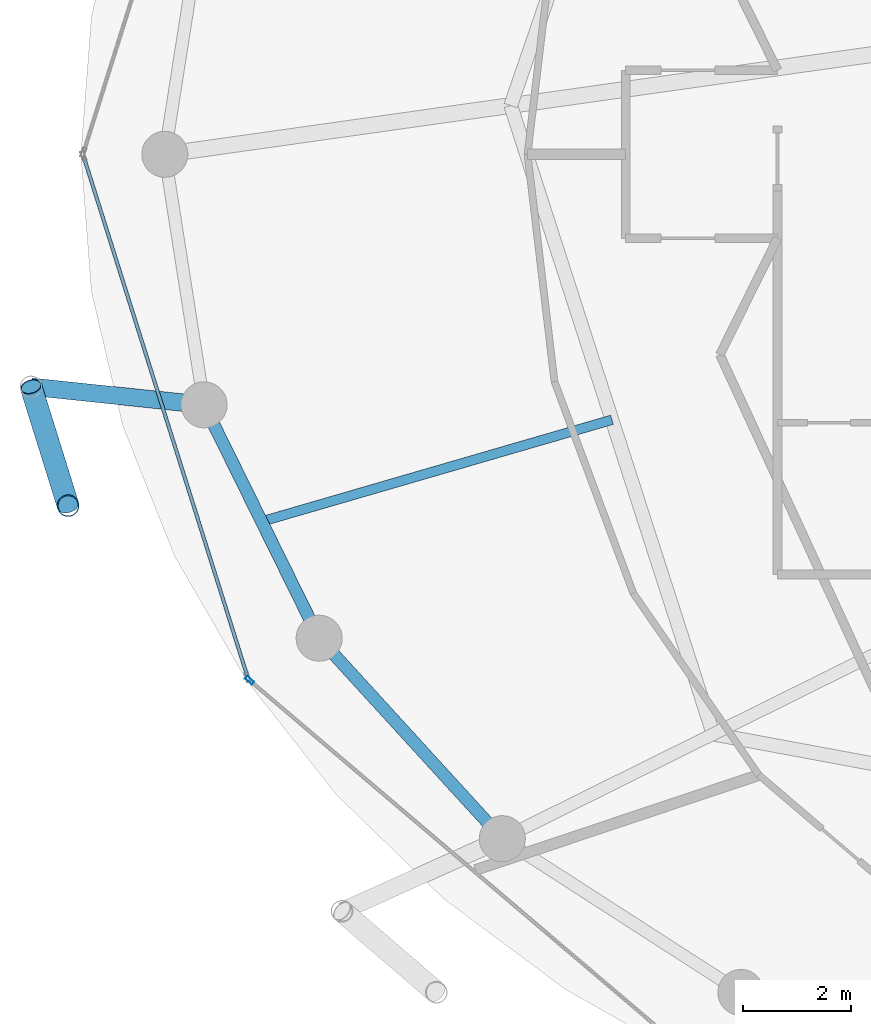
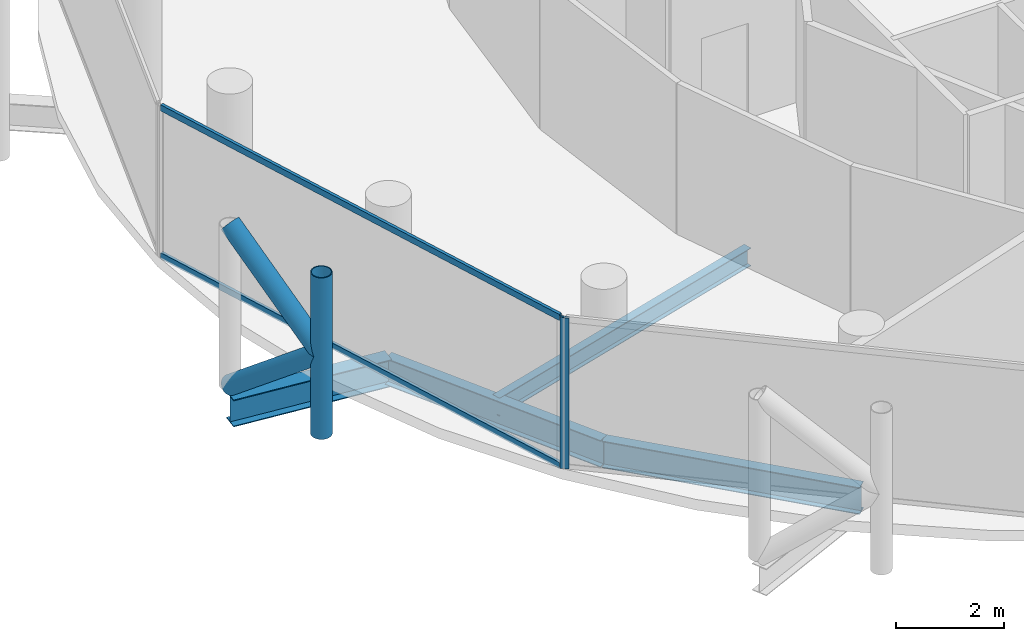
# One storey, part 3 of 27: 6 members, 4 beams, 2 elements without a shape of their own.
"""IFC4 building model written with IfcOpenShell, lengths in metres."""

from ifc_helpers import new_model, si_unit, direction, frame, origin, origin_2d, place, context, subcontext, project, spatial, hollow_rectangle, hollow_circle, i_section, extrude, material, layer, layer_set, material_profile, profile_set, type_object, element, aggregate, save


model = new_model("IFC4")

# Units and contexts
model_context = context("Model", 3, precision=1e-05, world=origin(), true_north=direction((0.0, 1.0)))
body_context = subcontext(model_context, "Body", "Model", "MODEL_VIEW")
ifc_project = project(units=[si_unit("LENGTHUNIT", "METRE"), si_unit("AREAUNIT", "SQUARE_METRE"), si_unit("VOLUMEUNIT", "CUBIC_METRE"), si_unit("PLANEANGLEUNIT", "RADIAN"), si_unit("MASSUNIT", "GRAM", prefix="KILO")], contexts=[model_context])

# Site, building, storey
site_placement = place(None, origin())
site = spatial("IfcSite", under=ifc_project, at=site_placement, CompositionType="ELEMENT")
building_placement = place(site_placement, origin())
building = spatial("IfcBuilding", under=site, at=building_placement, Name="Nuhasar Tower", CompositionType="ELEMENT")
storey_placement = place(building_placement, frame((0.0, 0.0, 233.699951171875)))
storey = spatial("IfcBuildingStorey", under=building, at=storey_placement, Name="L57", CompositionType="ELEMENT", Elevation=233.699951171875)

# Beams
ifc_material_1 = material(Name="Steel S355", Category="steel")
ifc_material_profile_1 = material_profile(ifc_material_1, i_section(OverallWidth=0.177978515625, OverallDepth=0.406005859375, WebThickness=0.0078125, FlangeThickness=0.0126953125, at=origin_2d()), Name="W16X40")
ifc_profile_set_1 = profile_set([ifc_material_profile_1], Name="Steel S355")
beam_type_1 = type_object("IfcBeamType", Name="BM-JST-W16X40", PredefinedType="JOIST", material=ifc_profile_set_1)
beam_1_placement = place(storey_placement, frame((25.9970703125, 21.904052734375, -0.44287109375), z_axis=(-0.960312689798, -0.27892568511, 0.0), x_axis=(0.27892568511, -0.960312689798, 0.0)))
element("IfcBeam", 1, at=beam_1_placement, inside=storey, type_object=beam_type_1, Name="L57 Secondary Floor Joist 08", PredefinedType="JOIST", context=body_context, shape_type="SweptSolid", body=[
    extrude(i_section(OverallWidth=0.177978515625, OverallDepth=0.406005859375, WebThickness=0.0078125, FlangeThickness=0.0126953125, at=origin_2d()), origin(), (0.0, 0.0, 1.0), 6.729248046875),
])
ifc_material_profile_2 = material_profile(ifc_material_1, i_section(OverallWidth=0.22802734375, OverallDepth=0.60791015625, WebThickness=0.01123046875, FlangeThickness=0.017333984375, at=origin_2d()), Name="W24X76")
ifc_profile_set_2 = profile_set([ifc_material_profile_2], Name="Steel S355")
beam_type_2 = type_object("IfcBeamType", Name="BM-RING-W24X76", PredefinedType="SPANDREL", material=ifc_profile_set_2)
beam_2_placement = place(storey_placement, frame((18.47412109375, 22.179931640625, -0.5439453125), z_axis=(0.442262779282, -0.896885518928, 0.0), x_axis=(0.896885518928, 0.442262779282, 0.0)))
element("IfcBeam", 2, at=beam_2_placement, inside=storey, type_object=beam_type_2, Name="L57 Perimeter Ring Spandrel 14", PredefinedType="SPANDREL", context=body_context, shape_type="SweptSolid", body=[
    extrude(i_section(OverallWidth=0.22802734375, OverallDepth=0.60791015625, WebThickness=0.01123046875, FlangeThickness=0.017333984375, at=origin_2d()), origin(), (0.0, 0.0, 1.0), 4.7998046875),
])
beam_3_placement = place(storey_placement, frame((20.596923828125, 17.875, -0.5439453125), z_axis=(0.674449692975, -0.738320805373, 0.0), x_axis=(0.738320805373, 0.674449692975, 0.0)))
element("IfcBeam", 3, at=beam_3_placement, inside=storey, type_object=beam_type_2, Name="L57 Perimeter Ring Spandrel 15", PredefinedType="SPANDREL", context=body_context, shape_type="SweptSolid", body=[
    extrude(i_section(OverallWidth=0.22802734375, OverallDepth=0.60791015625, WebThickness=0.01123046875, FlangeThickness=0.017333984375, at=origin_2d()), origin(), (0.0, 0.0, 1.0), 5.00732421875),
])
ifc_material_profile_3 = material_profile(ifc_material_1, i_section(OverallWidth=0.323974609375, OverallDepth=0.611083984375, WebThickness=0.0126953125, FlangeThickness=0.01904296875, at=origin_2d()), Name="W24X104")
ifc_profile_set_3 = profile_set([ifc_material_profile_3], Name="Steel S355")
beam_type_3 = type_object("IfcBeamType", Name="BM-TIE-W24X104", PredefinedType="BEAM", material=ifc_profile_set_3)
beam_4_placement = place(storey_placement, frame((18.47412109375, 22.179931640625, -0.544921875), z_axis=(-0.994571111079, 0.10405914187, 0.0), x_axis=(-0.10405914187, -0.994571111079, 0.0)))
element("IfcBeam", 4, at=beam_4_placement, inside=storey, type_object=beam_type_3, Name="L57 Exoskeleton Node Tie Beam 07", PredefinedType="BEAM", context=body_context, shape_type="SweptSolid", body=[
    extrude(i_section(OverallWidth=0.323974609375, OverallDepth=0.611083984375, WebThickness=0.0126953125, FlangeThickness=0.01904296875, at=origin_2d()), origin(), (0.0, 0.0, 1.0), 3.20947265625),
])

# Curtain wall, member
ifc_material_2 = material(Name="Aluminium 6063-T6", Category="aluminium")
ifc_layer = layer(ifc_material_2, 0.18994140625)
ifc_layer_set = layer_set([ifc_layer], Name="Aluminium 6063-T6")
curtain_wall_type = type_object("IfcCurtainWallType", Name="CW-Z3-RES", PredefinedType="NOTDEFINED", material=ifc_layer_set)
curtain_wall_1_placement = place(storey_placement, origin())
curtain_wall_1 = element("IfcCurtainWall", 5, at=curtain_wall_1_placement, inside=storey, type_object=curtain_wall_type, Name="L57 Unitised Curtain Wall 08", PredefinedType="NOTDEFINED")
ifc_material_profile_4 = material_profile(ifc_material_2, hollow_rectangle(XDim=0.06494140625, YDim=0.169921875, WallThickness=0.0048828125, at=origin_2d()), Name="CWM-4")
ifc_profile_set_4 = profile_set([ifc_material_profile_4], Name="Aluminium 6063-T6")
member_type_1 = type_object("IfcMemberType", Name="CW-MUL-S4", PredefinedType="MULLION", material=ifc_profile_set_4)
member_1_placement = place(storey_placement, frame((19.313720703125, 17.098876953125, 0.0), z_axis=(0.0, 0.0, 1.0), x_axis=(0.64789521578, 0.761729472562, 0.0)))
member_1 = element("IfcMember", 6, at=member_1_placement, type_object=member_type_1, Name="CW-Z3 mullion 1", PredefinedType="MULLION", context=body_context, shape_type="SweptSolid", body=[
    extrude(hollow_rectangle(XDim=0.06494140625, YDim=0.169921875, WallThickness=0.0048828125, at=origin_2d()), origin(), (0.0, 0.0, 1.0), 3.41015625),
])
aggregate(curtain_wall_1, [member_1])

# Curtain wall, members
curtain_wall_2_placement = place(storey_placement, origin())
curtain_wall_2 = element("IfcCurtainWall", 7, at=curtain_wall_2_placement, inside=storey, type_object=curtain_wall_type, Name="L57 Unitised Curtain Wall 07", PredefinedType="NOTDEFINED")
ifc_material_profile_5 = material_profile(ifc_material_2, hollow_rectangle(XDim=0.06494140625, YDim=0.139892578125, WallThickness=0.00439453125, at=origin_2d()), Name="CWT-4")
ifc_profile_set_5 = profile_set([ifc_material_profile_5], Name="Aluminium 6063-T6")
member_type_2 = type_object("IfcMemberType", Name="CW-TRN-S4", PredefinedType="USERDEFINED", material=ifc_profile_set_5)
member_2_placement = place(storey_placement, frame((16.259521484375, 26.738037109375, 0.032470703125), z_axis=(0.300430390604, -0.953803743126, 0.0), x_axis=(0.953803743126, 0.300430390604, 0.0)))
member_2 = element("IfcMember", 8, at=member_2_placement, type_object=member_type_2, Name="CW-Z3 transom 1.1", ObjectType="TRANSOM", PredefinedType="USERDEFINED", context=body_context, shape_type="SweptSolid", body=[
    extrude(hollow_rectangle(XDim=0.06494140625, YDim=0.139892578125, WallThickness=0.00439453125, at=origin_2d()), origin(), (0.0, 0.0, 1.0), 10.01904296875),
])
member_3_placement = place(storey_placement, frame((16.259521484375, 26.738037109375, 3.37744140625), z_axis=(0.300430390604, -0.953803743126, 0.0), x_axis=(0.953803743126, 0.300430390604, 0.0)))
member_3 = element("IfcMember", 9, at=member_3_placement, type_object=member_type_2, Name="CW-Z3 transom 1.2", ObjectType="TRANSOM", PredefinedType="USERDEFINED", context=body_context, shape_type="SweptSolid", body=[
    extrude(hollow_rectangle(XDim=0.06494140625, YDim=0.139892578125, WallThickness=0.00439453125, at=origin_2d()), origin(), (0.0, 0.0, 1.0), 10.01904296875),
])
aggregate(curtain_wall_2, [member_2, member_3])

# Members
ifc_material_3 = material(Name="Steel S460", Category="steel")
ifc_material_profile_6 = material_profile(ifc_material_3, hollow_circle(Radius=0.203125, WallThickness=0.01904296875, at=origin_2d()), Name="HSS406.4X19.1")
ifc_profile_set_6 = profile_set([ifc_material_profile_6], Name="Steel S460")
member_type_3 = type_object("IfcMemberType", Name="EXO-BRONZE-406", PredefinedType="BRACE", material=ifc_profile_set_6)
member_4_placement = place(storey_placement, frame((15.967041015625, 20.319091796875, 0.0), z_axis=(0.0, 0.0, 1.0), x_axis=(1.0, 0.0, 0.0)))
element("IfcMember", 10, at=member_4_placement, inside=storey, type_object=member_type_3, Name="L57 Exoskeleton Chord Column EC-07B", PredefinedType="BRACE", context=body_context, shape_type="SweptSolid", body=[
    extrude(hollow_circle(Radius=0.203125, WallThickness=0.01904296875, at=origin_2d()), origin(), (0.0, 0.0, 1.0), 3.650146484375),
])
for number, where, z_axis, x_axis, name in (
    (11, (15.281982421875, 22.513916015625, 0.0), (0.233372423355, -0.747689980743, 0.621688832709), (0.954581948223, 0.297948492404, 0.0), "L57 Bronze Diagrid Brace W1-07"),
    (12, (15.967041015625, 20.319091796875, 1.824951171875), (-0.233360356896, 0.747651321632, 0.621739853228), (-0.954581948223, -0.297948492404, 0.0), "L57 Bronze Diagrid Brace W2-07"),
):
    element("IfcMember", number, at=place(storey_placement, frame(where, z_axis=z_axis, x_axis=x_axis)), inside=storey, type_object=member_type_3, Name=name, PredefinedType="BRACE", context=body_context, shape_type="SweptSolid", body=[
        extrude(hollow_circle(Radius=0.203125, WallThickness=0.01904296875, at=origin_2d()), origin(), (0.0, 0.0, 1.0), 2.935546875),
    ])

save(model, "model.ifc")
